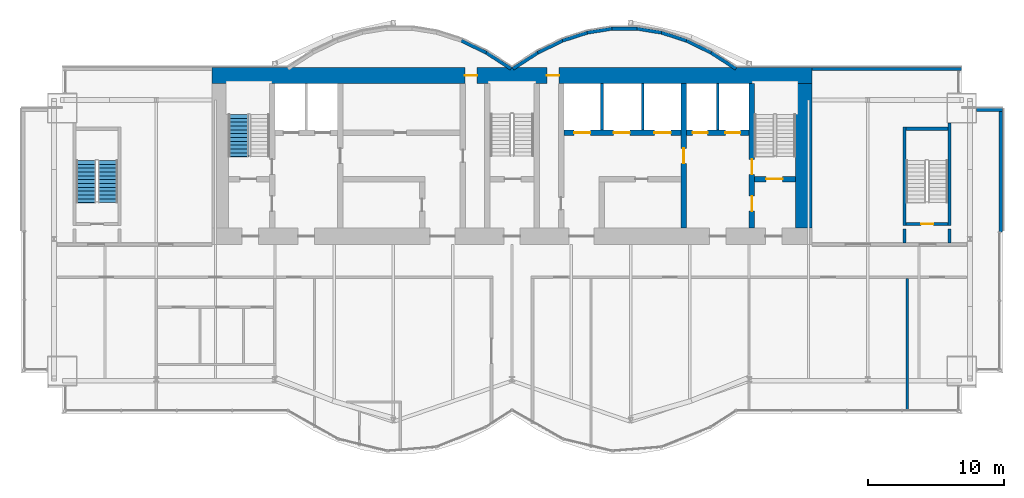
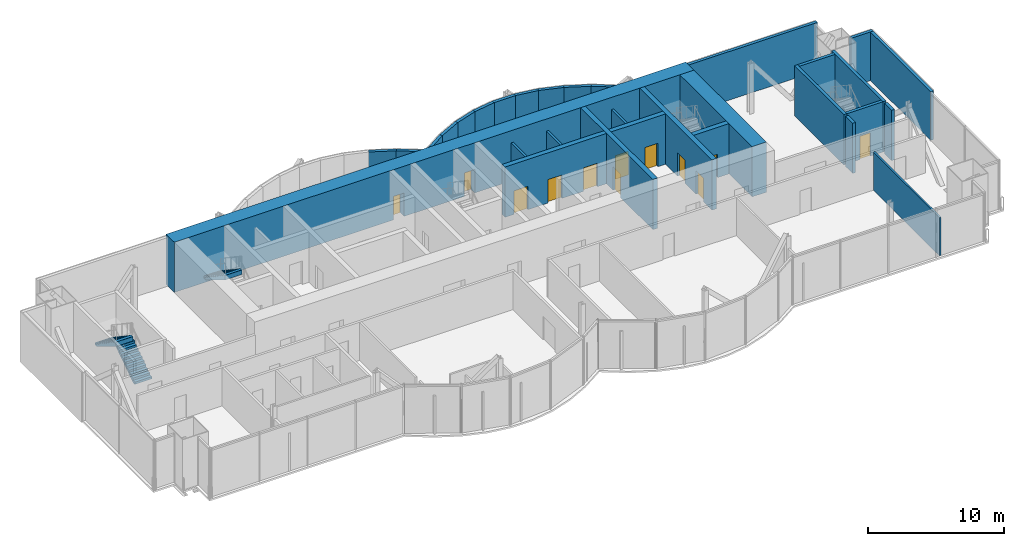
# One storey, part 12 of 16: 30 walls, 12 doors, 3 stair flights, 12 openings, 2 elements without a shape of their own.
"""IFC4 building model written with IfcOpenShell, lengths in metres."""

from ifc_helpers import new_model, si_unit, direction, frame, frame_2d, origin, place, context, subcontext, project, spatial, polyline, rectangle, outline, extrude, material, layer, layer_set, layer_usage, type_object, element, fill, aggregate, save


model = new_model("IFC4")

# Units and contexts
model_context = context("Model", 3, precision=1e-05, world=origin(), true_north=direction((0.0, 1.0)))
body_context = subcontext(model_context, "Body", "Model", "MODEL_VIEW")
ifc_project = project(units=[si_unit("LENGTHUNIT", "METRE"), si_unit("AREAUNIT", "SQUARE_METRE"), si_unit("VOLUMEUNIT", "CUBIC_METRE"), si_unit("PLANEANGLEUNIT", "RADIAN"), si_unit("MASSUNIT", "GRAM", prefix="KILO")], contexts=[model_context])

# Site, building, storey
site_placement = place(None, origin())
site = spatial("IfcSite", under=ifc_project, at=site_placement, CompositionType="ELEMENT")
building_placement = place(site_placement, origin())
building = spatial("IfcBuilding", under=site, at=building_placement, Name="Bicima Exchange Tower", CompositionType="ELEMENT")
storey_placement = place(building_placement, frame((0.0, 0.0, 329.0)))
storey = spatial("IfcBuildingStorey", under=building, at=storey_placement, Name="L74", CompositionType="ELEMENT", Elevation=329.0)

# Walls
ifc_material_1 = material(Name="Gypsum board partition")
ifc_layer_1 = layer(ifc_material_1, 0.199951171875)
ifc_layer_set_1 = layer_set([ifc_layer_1], Name="Gypsum board partition")
wall_type_1 = type_object("IfcWallType", Name="Fire-rated gypsum partition 200 EI120", PredefinedType="PARTITIONING", material=ifc_layer_set_1)
for number, where, z_axis, x_axis, name in (
    (1, (6.60009765625, -4.60009765625, 0.0), (0.0, 0.0, 1.0), (0.0, 1.0, 0.0), "partition wall 17"),
    (2, (9.60009765625, -4.60009765625, 0.0), (0.0, 0.0, 1.0), (0.0, 1.0, 0.0), "partition wall 18"),
    (3, (15.10009765625, -4.60009765625, 0.0), (0.0, 0.0, 1.0), (0.0, 1.0, 0.0), "partition wall 20"),
):
    element("IfcWall", number, at=place(storey_placement, frame(where, z_axis=z_axis, x_axis=x_axis)), inside=storey, type_object=wall_type_1, Name=name, PredefinedType="PARTITIONING", context=body_context, shape_type="SweptSolid", body=[
        extrude(rectangle(XDim=3.400146484375, YDim=0.199951171875, at=frame_2d((1.7001953125, 0.0))), origin(), (0.0, 0.0, 1.0), 3.418212890625),
    ])
ifc_layer_2 = layer(ifc_material_1, 0.14990234375)
ifc_layer_set_2 = layer_set([ifc_layer_2], Name="Gypsum board partition")
wall_type_2 = type_object("IfcWallType", Name="Gypsum partition 150", PredefinedType="PARTITIONING", material=ifc_layer_set_2)
wall_1_placement = place(storey_placement, frame((29.0, -25.199951171875, 0.0), z_axis=(0.0, 0.0, 1.0), x_axis=(0.0, 1.0, 0.0)))
element("IfcWall", 4, at=wall_1_placement, inside=storey, type_object=wall_type_2, Name="partition wall 28", PredefinedType="PARTITIONING", context=body_context, shape_type="SweptSolid", body=[
    extrude(rectangle(XDim=9.699951171875, YDim=0.14990234375, at=frame_2d((4.85009765625, 0.0))), origin(), (0.0, 0.0, 1.0), 3.418212890625),
])

# Wall, openings, doors
ifc_material_2 = material(Name="Concrete C40/50", Category="concrete")
ifc_layer_3 = layer(ifc_material_2, 1.199951171875)
ifc_layer_set_3 = layer_set([ifc_layer_3], Name="Concrete C40/50")
wall_type_3 = type_object("IfcWallType", Name="RC core wall 1200 C40/50", PredefinedType="SHEAR", material=ifc_layer_set_3)
wall_2_placement = place(storey_placement, frame((-22.0, -0.60009765625, 0.0), z_axis=(0.0, 0.0, 1.0), x_axis=(1.0, 0.0, 0.0)))
wall_2 = element("IfcWall", 5, at=wall_2_placement, inside=storey, type_object=wall_type_3, Name="Core wall north", PredefinedType="SHEAR", context=body_context, shape_type="SweptSolid", body=[
    extrude(rectangle(XDim=44.0, YDim=1.199951171875, at=frame_2d((22.0, 0.0))), origin(), (0.0, 0.0, 1.0), 4.5),
])
opening_1_placement = place(wall_2_placement, frame((18.550048828125, 0.0, 0.0)))
opening_1 = element("IfcOpeningElement", 6, at=opening_1_placement, cuts=wall_2, Name="Opening L74-C15", PredefinedType="OPENING", context=body_context, shape_type="SweptSolid", body=[
    extrude(rectangle(XDim=0.89990234375, YDim=2.10009765625, at=frame_2d((0.449951171875, 1.050048828125))), frame((0.0, 0.61181640625, 0.0), z_axis=(0.0, -1.0, 0.0), x_axis=(1.0, 0.0, 0.0)), (0.0, 0.0, 1.0), 1.223876953125),
])
opening_2_placement = place(wall_2_placement, frame((24.550048828125, 0.0, 0.0)))
opening_2 = element("IfcOpeningElement", 7, at=opening_2_placement, cuts=wall_2, Name="Opening L74-C16", PredefinedType="OPENING", context=body_context, shape_type="SweptSolid", body=[
    extrude(rectangle(XDim=0.89990234375, YDim=2.10009765625, at=frame_2d((0.449951171875, 1.050048828125))), frame((0.0, 0.61181640625, 0.0), z_axis=(0.0, -1.0, 0.0), x_axis=(1.0, 0.0, 0.0)), (0.0, 0.0, 1.0), 1.223876953125),
])
ifc_material_3 = material(Name="Steel fire door leaf", Category="steel")
door_type_1 = type_object("IfcDoorType", Name="Door 900 swing FD30S", OperationType="SINGLE_SWING_LEFT", PredefinedType="DOOR", material=ifc_material_3)
door_1_placement = place(opening_1_placement, origin())
door_1 = element("IfcDoor", 8, at=door_1_placement, inside=storey, type_object=door_type_1, Name="Core door", OperationType="SINGLE_SWING_LEFT", OverallHeight=2.10009765625, OverallWidth=0.89990234375, PredefinedType="DOOR", context=body_context, shape_type="SweptSolid", body=[
    extrude(rectangle(XDim=0.89990234375, YDim=2.10009765625, at=frame_2d((0.449951171875, 1.050048828125))), frame((0.0, 0.02490234375, 0.0), z_axis=(0.0, -1.0, 0.0), x_axis=(1.0, 0.0, 0.0)), (0.0, 0.0, 1.0), 0.050048828125),
])
fill(opening_1, door_1)
door_2_placement = place(opening_2_placement, origin())
door_2 = element("IfcDoor", 9, at=door_2_placement, inside=storey, type_object=door_type_1, Name="Core door", OperationType="SINGLE_SWING_LEFT", OverallHeight=2.10009765625, OverallWidth=0.89990234375, PredefinedType="DOOR", context=body_context, shape_type="SweptSolid", body=[
    extrude(rectangle(XDim=0.89990234375, YDim=2.10009765625, at=frame_2d((0.449951171875, 1.050048828125))), frame((0.0, 0.02490234375, 0.0), z_axis=(0.0, -1.0, 0.0), x_axis=(1.0, 0.0, 0.0)), (0.0, 0.0, 1.0), 0.050048828125),
])
fill(opening_2, door_2)

# Walls
wall_3_placement = place(storey_placement, frame((21.39990234375, -11.800048828125, 0.0), z_axis=(0.0, 0.0, 1.0), x_axis=(0.0, 1.0, 0.0)))
element("IfcWall", 10, at=wall_3_placement, inside=storey, type_object=wall_type_3, Name="Core wall east", PredefinedType="SHEAR", context=body_context, shape_type="SweptSolid", body=[
    extrude(rectangle(XDim=10.60009765625, YDim=1.199951171875, at=frame_2d((5.300048828125, 0.0))), origin(), (0.0, 0.0, 1.0), 4.5),
])
ifc_material_4 = material(Name="Concrete C50/60", Category="concrete")
ifc_layer_4 = layer(ifc_material_4, 0.25)
ifc_layer_set_4 = layer_set([ifc_layer_4], Name="Concrete C50/60")
wall_type_4 = type_object("IfcWallType", Name="RC core wall 250 C50/60", PredefinedType="SHEAR", material=ifc_layer_set_4)
for number, where, z_axis, x_axis, name in (
    (11, (28.800048828125, -12.89990234375, 0.0), (0.0, 0.0, 1.0), (0.0, 1.0, 0.0), "stair wall 27"),
    (12, (32.10009765625, -12.89990234375, 0.0), (0.0, 0.0, 1.0), (0.0, 1.0, 0.0), "stair wall 29"),
):
    element("IfcWall", number, at=place(storey_placement, frame(where, z_axis=z_axis, x_axis=x_axis)), inside=storey, type_object=wall_type_4, Name=name, PredefinedType="SHEAR", context=body_context, shape_type="SweptSolid", body=[
        extrude(rectangle(XDim=1.0498046875, YDim=0.25, at=frame_2d((0.52490234375, 0.0))), origin(), (0.0, 0.0, 1.0), 4.5),
    ])

# Wall, openings, doors
ifc_layer_5 = layer(ifc_material_2, 0.39990234375)
ifc_layer_set_5 = layer_set([ifc_layer_5], Name="Concrete C40/50")
wall_type_5 = type_object("IfcWallType", Name="RC core wall 400 C40/50", PredefinedType="SHEAR", material=ifc_layer_set_5)
wall_4_placement = place(storey_placement, frame((3.800048828125, -4.800048828125, 0.0), z_axis=(0.0, 0.0, 1.0), x_axis=(1.0, 0.0, 0.0)))
wall_4 = element("IfcWall", 13, at=wall_4_placement, inside=storey, type_object=wall_type_5, Name="shear wall 7", PredefinedType="SHEAR", context=body_context, shape_type="SweptSolid", body=[
    extrude(rectangle(XDim=13.599853515625, YDim=0.39990234375, at=frame_2d((6.7998046875, 0.0))), origin(), (0.0, 0.0, 1.0), 4.5),
])
opening_3_placement = place(wall_4_placement, frame((0.75, 0.0, 0.0)))
opening_3 = element("IfcOpeningElement", 14, at=opening_3_placement, cuts=wall_4, Name="Opening LD-HB1-L74", PredefinedType="OPENING", context=body_context, shape_type="SweptSolid", body=[
    extrude(rectangle(XDim=1.199951171875, YDim=2.10009765625, at=frame_2d((0.60009765625, 1.050048828125))), frame((0.0, 0.2119140625, 0.0), z_axis=(0.0, -1.0, 0.0), x_axis=(1.0, 0.0, 0.0)), (0.0, 0.0, 1.0), 0.423828125),
])
opening_4_placement = place(wall_4_placement, frame((3.64990234375, 0.0, 0.0)))
opening_4 = element("IfcOpeningElement", 15, at=opening_4_placement, cuts=wall_4, Name="Opening LD-HB2-L74", PredefinedType="OPENING", context=body_context, shape_type="SweptSolid", body=[
    extrude(rectangle(XDim=1.199951171875, YDim=2.10009765625, at=frame_2d((0.60009765625, 1.050048828125))), frame((0.0, 0.2119140625, 0.0), z_axis=(0.0, -1.0, 0.0), x_axis=(1.0, 0.0, 0.0)), (0.0, 0.0, 1.0), 0.423828125),
])
opening_5_placement = place(wall_4_placement, frame((6.64990234375, 0.0, 0.0)))
opening_5 = element("IfcOpeningElement", 16, at=opening_5_placement, cuts=wall_4, Name="Opening LD-HB3-L74", PredefinedType="OPENING", context=body_context, shape_type="SweptSolid", body=[
    extrude(rectangle(XDim=1.199951171875, YDim=2.10009765625, at=frame_2d((0.60009765625, 1.050048828125))), frame((0.0, 0.2119140625, 0.0), z_axis=(0.0, -1.0, 0.0), x_axis=(1.0, 0.0, 0.0)), (0.0, 0.0, 1.0), 0.423828125),
])
opening_6_placement = place(wall_4_placement, frame((9.449951171875, 0.0, 0.0)))
opening_6 = element("IfcOpeningElement", 17, at=opening_6_placement, cuts=wall_4, Name="Opening LD-FF2-L74", PredefinedType="OPENING", context=body_context, shape_type="SweptSolid", body=[
    extrude(rectangle(XDim=1.10009765625, YDim=2.10009765625, at=frame_2d((0.550048828125, 1.050048828125))), frame((0.0, 0.2119140625, 0.0), z_axis=(0.0, -1.0, 0.0), x_axis=(1.0, 0.0, 0.0)), (0.0, 0.0, 1.0), 0.423828125),
])
opening_7_placement = place(wall_4_placement, frame((11.85009765625, 0.0, 0.0)))
opening_7 = element("IfcOpeningElement", 18, at=opening_7_placement, cuts=wall_4, Name="Opening LD-SV1-L74", PredefinedType="OPENING", context=body_context, shape_type="SweptSolid", body=[
    extrude(rectangle(XDim=1.10009765625, YDim=2.10009765625, at=frame_2d((0.550048828125, 1.050048828125))), frame((0.0, 0.2119140625, 0.0), z_axis=(0.0, -1.0, 0.0), x_axis=(1.0, 0.0, 0.0)), (0.0, 0.0, 1.0), 0.423828125),
])
ifc_material_5 = material(Name="Stainless steel", Category="steel")
door_type_2 = type_object("IfcDoorType", Name="Lift landing door 1100 sliding", OperationType="DOUBLE_DOOR_SLIDING", PredefinedType="DOOR", material=ifc_material_5)
door_3_placement = place(opening_6_placement, origin())
door_3 = element("IfcDoor", 19, at=door_3_placement, inside=storey, type_object=door_type_2, Name="Lift landing door FF2", OperationType="DOUBLE_DOOR_SLIDING", OverallHeight=2.10009765625, OverallWidth=1.10009765625, PredefinedType="DOOR", context=body_context, shape_type="SweptSolid", body=[
    extrude(rectangle(XDim=1.10009765625, YDim=2.10009765625, at=frame_2d((0.550048828125, 1.050048828125))), frame((0.0, 0.02490234375, 0.0), z_axis=(0.0, -1.0, 0.0), x_axis=(1.0, 0.0, 0.0)), (0.0, 0.0, 1.0), 0.050048828125),
])
fill(opening_6, door_3)
door_4_placement = place(opening_7_placement, origin())
door_4 = element("IfcDoor", 20, at=door_4_placement, inside=storey, type_object=door_type_2, Name="Lift landing door SV1", OperationType="DOUBLE_DOOR_SLIDING", OverallHeight=2.10009765625, OverallWidth=1.10009765625, PredefinedType="DOOR", context=body_context, shape_type="SweptSolid", body=[
    extrude(rectangle(XDim=1.10009765625, YDim=2.10009765625, at=frame_2d((0.550048828125, 1.050048828125))), frame((0.0, 0.02490234375, 0.0), z_axis=(0.0, -1.0, 0.0), x_axis=(1.0, 0.0, 0.0)), (0.0, 0.0, 1.0), 0.050048828125),
])
fill(opening_7, door_4)
door_type_3 = type_object("IfcDoorType", Name="Lift landing door 1200 sliding", OperationType="DOUBLE_DOOR_SLIDING", PredefinedType="DOOR", material=ifc_material_5)
door_5_placement = place(opening_3_placement, origin())
door_5 = element("IfcDoor", 21, at=door_5_placement, inside=storey, type_object=door_type_3, Name="Lift landing door HB1", OperationType="DOUBLE_DOOR_SLIDING", OverallHeight=2.10009765625, OverallWidth=1.199951171875, PredefinedType="DOOR", context=body_context, shape_type="SweptSolid", body=[
    extrude(rectangle(XDim=1.199951171875, YDim=2.10009765625, at=frame_2d((0.60009765625, 1.050048828125))), frame((0.0, 0.02490234375, 0.0), z_axis=(0.0, -1.0, 0.0), x_axis=(1.0, 0.0, 0.0)), (0.0, 0.0, 1.0), 0.050048828125),
])
fill(opening_3, door_5)
door_6_placement = place(opening_4_placement, origin())
door_6 = element("IfcDoor", 22, at=door_6_placement, inside=storey, type_object=door_type_3, Name="Lift landing door HB2", OperationType="DOUBLE_DOOR_SLIDING", OverallHeight=2.10009765625, OverallWidth=1.199951171875, PredefinedType="DOOR", context=body_context, shape_type="SweptSolid", body=[
    extrude(rectangle(XDim=1.199951171875, YDim=2.10009765625, at=frame_2d((0.60009765625, 1.050048828125))), frame((0.0, 0.02490234375, 0.0), z_axis=(0.0, -1.0, 0.0), x_axis=(1.0, 0.0, 0.0)), (0.0, 0.0, 1.0), 0.050048828125),
])
fill(opening_4, door_6)
door_7_placement = place(opening_5_placement, origin())
door_7 = element("IfcDoor", 23, at=door_7_placement, inside=storey, type_object=door_type_3, Name="Lift landing door HB3", OperationType="DOUBLE_DOOR_SLIDING", OverallHeight=2.10009765625, OverallWidth=1.199951171875, PredefinedType="DOOR", context=body_context, shape_type="SweptSolid", body=[
    extrude(rectangle(XDim=1.199951171875, YDim=2.10009765625, at=frame_2d((0.60009765625, 1.050048828125))), frame((0.0, 0.02490234375, 0.0), z_axis=(0.0, -1.0, 0.0), x_axis=(1.0, 0.0, 0.0)), (0.0, 0.0, 1.0), 0.050048828125),
])
fill(opening_5, door_7)

# Wall, opening, door
wall_5_placement = place(storey_placement, frame((12.60009765625, -11.800048828125, 0.0), z_axis=(0.0, 0.0, 1.0), x_axis=(0.0, 1.0, 0.0)))
wall_5 = element("IfcWall", 24, at=wall_5_placement, inside=storey, type_object=wall_type_5, Name="shear wall 19", PredefinedType="SHEAR", context=body_context, shape_type="SweptSolid", body=[
    extrude(rectangle(XDim=10.60009765625, YDim=0.39990234375, at=frame_2d((5.300048828125, 0.0))), origin(), (0.0, 0.0, 1.0), 4.5),
])
opening_8_placement = place(wall_5_placement, frame((4.75, 0.0, 0.0)))
opening_8 = element("IfcOpeningElement", 25, at=opening_8_placement, cuts=wall_5, Name="Opening L74-C09", PredefinedType="OPENING", context=body_context, shape_type="SweptSolid", body=[
    extrude(rectangle(XDim=1.10009765625, YDim=2.10009765625, at=frame_2d((0.550048828125, 1.050048828125))), frame((0.0, 0.2119140625, 0.0), z_axis=(0.0, -1.0, 0.0), x_axis=(1.0, 0.0, 0.0)), (0.0, 0.0, 1.0), 0.423828125),
])
door_type_4 = type_object("IfcDoorType", Name="Door 1100 swing FD60S", OperationType="SINGLE_SWING_LEFT", PredefinedType="DOOR", material=ifc_material_3)
door_8_placement = place(opening_8_placement, frame((1.10009765625, 0.0, 0.0), z_axis=(0.0, 0.0, 1.0), x_axis=(-1.0, 0.0, 0.0)))
door_8 = element("IfcDoor", 26, at=door_8_placement, inside=storey, type_object=door_type_4, Name="Core door", OperationType="SINGLE_SWING_RIGHT", OverallHeight=2.10009765625, OverallWidth=1.10009765625, PredefinedType="DOOR", context=body_context, shape_type="SweptSolid", body=[
    extrude(rectangle(XDim=1.10009765625, YDim=2.10009765625, at=frame_2d((0.550048828125, 1.050048828125))), frame((0.0, 0.02490234375, 0.0), z_axis=(0.0, -1.0, 0.0), x_axis=(1.0, 0.0, 0.0)), (0.0, 0.0, 1.0), 0.050048828125),
])
fill(opening_8, door_8)

ifc_layer_6 = layer(ifc_material_4, 0.39990234375)
ifc_layer_set_6 = layer_set([ifc_layer_6], Name="Concrete C50/60")
wall_type_6 = type_object("IfcWallType", Name="RC core wall 400 C50/60", PredefinedType="SHEAR", material=ifc_layer_set_6)
wall_6_placement = place(storey_placement, frame((17.800048828125, -8.199951171875, 0.0), z_axis=(0.0, 0.0, 1.0), x_axis=(1.0, 0.0, 0.0)))
wall_6 = element("IfcWall", 27, at=wall_6_placement, inside=storey, type_object=wall_type_6, Name="stair wall 5", PredefinedType="SHEAR", context=body_context, shape_type="SweptSolid", body=[
    extrude(rectangle(XDim=3.0, YDim=0.39990234375, at=frame_2d((1.5, 0.0))), origin(), (0.0, 0.0, 1.0), 4.5),
])
opening_9_placement = place(wall_6_placement, frame((0.85009765625, 0.0, 0.0)))
opening_9 = element("IfcOpeningElement", 28, at=opening_9_placement, cuts=wall_6, Name="Opening L74-C04", PredefinedType="OPENING", context=body_context, shape_type="SweptSolid", body=[
    extrude(rectangle(XDim=1.199951171875, YDim=2.10009765625, at=frame_2d((0.60009765625, 1.050048828125))), frame((0.0, 0.2119140625, 0.0), z_axis=(0.0, -1.0, 0.0), x_axis=(1.0, 0.0, 0.0)), (0.0, 0.0, 1.0), 0.423828125),
])
door_type_5 = type_object("IfcDoorType", Name="Door 1200 swing FD60S", OperationType="SINGLE_SWING_LEFT", PredefinedType="DOOR", material=ifc_material_3)
door_9_placement = place(opening_9_placement, origin())
door_9 = element("IfcDoor", 29, at=door_9_placement, inside=storey, type_object=door_type_5, Name="Core door", OperationType="SINGLE_SWING_RIGHT", OverallHeight=2.10009765625, OverallWidth=1.199951171875, PredefinedType="DOOR", context=body_context, shape_type="SweptSolid", body=[
    extrude(rectangle(XDim=1.199951171875, YDim=2.10009765625, at=frame_2d((0.60009765625, 1.050048828125))), frame((0.0, 0.02490234375, 0.0), z_axis=(0.0, -1.0, 0.0), x_axis=(1.0, 0.0, 0.0)), (0.0, 0.0, 1.0), 0.050048828125),
])
fill(opening_9, door_9)

# Wall, openings, doors
wall_7_placement = place(storey_placement, frame((17.60009765625, -11.800048828125, 0.0), z_axis=(0.0, 0.0, 1.0), x_axis=(0.0, 1.0, 0.0)))
wall_7 = element("IfcWall", 30, at=wall_7_placement, inside=storey, type_object=wall_type_6, Name="stair wall 21", PredefinedType="SHEAR", context=body_context, shape_type="SweptSolid", body=[
    extrude(rectangle(XDim=10.60009765625, YDim=0.39990234375, at=frame_2d((5.300048828125, 0.0))), origin(), (0.0, 0.0, 1.0), 4.5),
])
opening_10_placement = place(wall_7_placement, frame((1.25, 0.0, 0.0)))
opening_10 = element("IfcOpeningElement", 31, at=opening_10_placement, cuts=wall_7, Name="Opening L74-C05", PredefinedType="OPENING", context=body_context, shape_type="SweptSolid", body=[
    extrude(rectangle(XDim=1.10009765625, YDim=2.10009765625, at=frame_2d((0.550048828125, 1.050048828125))), frame((0.0, 0.2119140625, 0.0), z_axis=(0.0, -1.0, 0.0), x_axis=(1.0, 0.0, 0.0)), (0.0, 0.0, 1.0), 0.423828125),
])
opening_11_placement = place(wall_7_placement, frame((3.949951171875, 0.0, 0.0)))
opening_11 = element("IfcOpeningElement", 32, at=opening_11_placement, cuts=wall_7, Name="Opening L74-C08", PredefinedType="OPENING", context=body_context, shape_type="SweptSolid", body=[
    extrude(rectangle(XDim=1.10009765625, YDim=2.10009765625, at=frame_2d((0.550048828125, 1.050048828125))), frame((0.0, 0.2119140625, 0.0), z_axis=(0.0, -1.0, 0.0), x_axis=(1.0, 0.0, 0.0)), (0.0, 0.0, 1.0), 0.423828125),
])
door_10_placement = place(opening_10_placement, origin())
door_10 = element("IfcDoor", 33, at=door_10_placement, inside=storey, type_object=door_type_4, Name="Core door", OperationType="SINGLE_SWING_LEFT", OverallHeight=2.10009765625, OverallWidth=1.10009765625, PredefinedType="DOOR", context=body_context, shape_type="SweptSolid", body=[
    extrude(rectangle(XDim=1.10009765625, YDim=2.10009765625, at=frame_2d((0.550048828125, 1.050048828125))), frame((0.0, 0.02490234375, 0.0), z_axis=(0.0, -1.0, 0.0), x_axis=(1.0, 0.0, 0.0)), (0.0, 0.0, 1.0), 0.050048828125),
])
fill(opening_10, door_10)
door_11_placement = place(opening_11_placement, origin())
door_11 = element("IfcDoor", 34, at=door_11_placement, inside=storey, type_object=door_type_4, Name="Core door", OperationType="SINGLE_SWING_RIGHT", OverallHeight=2.10009765625, OverallWidth=1.10009765625, PredefinedType="DOOR", context=body_context, shape_type="SweptSolid", body=[
    extrude(rectangle(XDim=1.10009765625, YDim=2.10009765625, at=frame_2d((0.550048828125, 1.050048828125))), frame((0.0, 0.02490234375, 0.0), z_axis=(0.0, -1.0, 0.0), x_axis=(1.0, 0.0, 0.0)), (0.0, 0.0, 1.0), 0.050048828125),
])
fill(opening_11, door_11)

# Walls
ifc_layer_7 = layer(ifc_material_4, 0.25)
ifc_layer_set_7 = layer_set([ifc_layer_7], Name="Concrete C50/60")
wall_type_7 = type_object("IfcWallType", Name="RC stair enclosure wall 250 C50/60", PredefinedType="SHEAR", material=ifc_layer_set_7)
wall_8_placement = place(storey_placement, frame((28.800048828125, -11.625, 0.0), z_axis=(0.0, 0.0, 1.0), x_axis=(0.0, 1.0, 0.0)))
element("IfcWall", 35, at=wall_8_placement, inside=storey, type_object=wall_type_7, Name="East end exit stair wall W", PredefinedType="SHEAR", context=body_context, shape_type="SweptSolid", body=[
    extrude(rectangle(XDim=7.25, YDim=0.25, at=frame_2d((3.625, 0.0))), origin(), (0.0, 0.0, 1.0), 4.5),
])
wall_9_placement = place(storey_placement, frame((32.10009765625, -11.625, 0.0), z_axis=(0.0, 0.0, 1.0), x_axis=(0.0, 1.0, 0.0)))
element("IfcWall", 36, at=wall_9_placement, inside=storey, type_object=wall_type_7, Name="East end exit stair wall E", PredefinedType="SHEAR", context=body_context, shape_type="SweptSolid", body=[
    extrude(rectangle(XDim=7.52490234375, YDim=0.25, at=frame_2d((3.762451171875, 0.0))), origin(), (0.0, 0.0, 1.0), 4.5),
])

# Wall, opening, door
wall_10_placement = place(storey_placement, frame((28.925048828125, -11.5, 0.0), z_axis=(0.0, 0.0, 1.0), x_axis=(1.0, 0.0, 0.0)))
wall_10 = element("IfcWall", 37, at=wall_10_placement, inside=storey, type_object=wall_type_7, Name="East end exit stair wall S", PredefinedType="SHEAR", context=body_context, shape_type="SweptSolid", body=[
    extrude(rectangle(XDim=3.050048828125, YDim=0.25, at=frame_2d((1.52490234375, 0.0))), origin(), (0.0, 0.0, 1.0), 4.5),
])
opening_12_placement = place(wall_10_placement, frame((1.10009765625, 0.0, 0.0)))
opening_12 = element("IfcOpeningElement", 38, at=opening_12_placement, cuts=wall_10, Name="Opening L74-004", PredefinedType="OPENING", context=body_context, shape_type="SweptSolid", body=[
    extrude(rectangle(XDim=0.89990234375, YDim=2.10009765625, at=frame_2d((0.449951171875, 1.050048828125))), frame((0.0, 0.136962890625, 0.0), z_axis=(0.0, -1.0, 0.0), x_axis=(1.0, 0.0, 0.0)), (0.0, 0.0, 1.0), 0.27392578125),
])
door_type_6 = type_object("IfcDoorType", Name="Door 900 swing FD60S", OperationType="SINGLE_SWING_LEFT", PredefinedType="DOOR", material=ifc_material_3)
door_12_placement = place(opening_12_placement, origin())
door_12 = element("IfcDoor", 39, at=door_12_placement, inside=storey, type_object=door_type_6, Name="Door", OperationType="SINGLE_SWING_LEFT", OverallHeight=2.10009765625, OverallWidth=0.89990234375, PredefinedType="DOOR", context=body_context, shape_type="SweptSolid", body=[
    extrude(rectangle(XDim=0.89990234375, YDim=2.10009765625, at=frame_2d((0.449951171875, 1.050048828125))), frame((0.0, 0.02490234375, 0.0), z_axis=(0.0, -1.0, 0.0), x_axis=(1.0, 0.0, 0.0)), (0.0, 0.0, 1.0), 0.050048828125),
])
fill(opening_12, door_12)

# Walls
wall_11_placement = place(storey_placement, frame((28.925048828125, -4.5, 0.0), z_axis=(0.0, 0.0, 1.0), x_axis=(1.0, 0.0, 0.0)))
element("IfcWall", 40, at=wall_11_placement, inside=storey, type_object=wall_type_7, Name="East end exit stair wall N", PredefinedType="SHEAR", context=body_context, shape_type="SweptSolid", body=[
    extrude(rectangle(XDim=3.050048828125, YDim=0.25, at=frame_2d((1.52490234375, 0.0))), origin(), (0.0, 0.0, 1.0), 4.5),
])
ifc_layer_8 = layer(ifc_material_2, 0.25)
ifc_layer_set_8 = layer_set([ifc_layer_8], Name="Concrete C40/50")
ifc_layer_usage = layer_usage(ifc_layer_set_8, "AXIS2", "POSITIVE", -0.125)
wall_type_8 = type_object("IfcWallType", Name="Rear backup wall 250", PredefinedType="STANDARD", material=ifc_layer_set_8)
wall_12_placement = place(storey_placement, frame((33.0, -0.125, 0.0), z_axis=(0.0, 0.0, 1.0), x_axis=(-1.0, 0.0, 0.0)))
element("IfcWall", 41, at=wall_12_placement, inside=storey, type_object=wall_type_8, material=ifc_layer_usage, Name="Rear backup wall L74 1", PredefinedType="STANDARD", context=body_context, shape_type="SweptSolid", body=[
    extrude(rectangle(XDim=11.0, YDim=0.25, at=frame_2d((5.5, 0.0))), origin(), (0.0, 0.0, 1.0), 4.35009765625),
])
wall_13_placement = place(storey_placement, frame((16.43212890625, -0.10498046875, 0.0), z_axis=(0.0, 0.0, 1.0), x_axis=(-0.83981312244, 0.542875602121, 0.0)))
element("IfcWall", 42, at=wall_13_placement, inside=storey, type_object=wall_type_8, material=ifc_layer_usage, Name="Rear backup wall L74 2", PredefinedType="STANDARD", context=body_context, shape_type="SweptSolid", body=[
    extrude(rectangle(XDim=2.182861328125, YDim=0.25, at=frame_2d((1.09130859375, 0.0))), origin(), (0.0, 0.0, 1.0), 4.35009765625),
])
wall_14_placement = place(storey_placement, frame((14.6123046875, 1.07275390625, 0.0), z_axis=(0.0, 0.0, 1.0), x_axis=(-0.89982408427, 0.436252928206, 0.0)))
element("IfcWall", 43, at=wall_14_placement, inside=storey, type_object=wall_type_8, material=ifc_layer_usage, Name="Rear backup wall L74 3", PredefinedType="STANDARD", context=body_context, shape_type="SweptSolid", body=[
    extrude(rectangle(XDim=2.03759765625, YDim=0.25, at=frame_2d((1.018798828125, 0.0))), origin(), (0.0, 0.0, 1.0), 4.35009765625),
])
wall_15_placement = place(storey_placement, frame((12.794921875, 1.955078125, 0.0), z_axis=(0.0, 0.0, 1.0), x_axis=(-0.951495806175, 0.307661714928, 0.0)))
element("IfcWall", 44, at=wall_15_placement, inside=storey, type_object=wall_type_8, material=ifc_layer_usage, Name="Rear backup wall L74 4", PredefinedType="STANDARD", context=body_context, shape_type="SweptSolid", body=[
    extrude(rectangle(XDim=1.9267578125, YDim=0.25, at=frame_2d((0.96337890625, 0.0))), origin(), (0.0, 0.0, 1.0), 4.35009765625),
])
wall_16_placement = place(storey_placement, frame((10.97998046875, 2.543212890625, 0.0), z_axis=(0.0, 0.0, 1.0), x_axis=(-0.987181718931, 0.159600293885, 0.0)))
element("IfcWall", 45, at=wall_16_placement, inside=storey, type_object=wall_type_8, material=ifc_layer_usage, Name="Rear backup wall L74 5", PredefinedType="STANDARD", context=body_context, shape_type="SweptSolid", body=[
    extrude(rectangle(XDim=1.857177734375, YDim=0.25, at=frame_2d((0.9287109375, 0.0))), origin(), (0.0, 0.0, 1.0), 4.35009765625),
])
wall_17_placement = place(storey_placement, frame((9.166748046875, 2.837890625, 0.0), z_axis=(0.0, 0.0, 1.0), x_axis=(-1.0, 0.0, 0.0)))
element("IfcWall", 46, at=wall_17_placement, inside=storey, type_object=wall_type_8, material=ifc_layer_usage, Name="Rear backup wall L74 6", PredefinedType="STANDARD", context=body_context, shape_type="SweptSolid", body=[
    extrude(rectangle(XDim=1.83349609375, YDim=0.25, at=frame_2d((0.916748046875, 0.0))), origin(), (0.0, 0.0, 1.0), 4.35009765625),
])
wall_18_placement = place(storey_placement, frame((7.353271484375, 2.839599609375, 0.0), z_axis=(0.0, 0.0, 1.0), x_axis=(-0.987181718931, -0.159600293885, 0.0)))
element("IfcWall", 47, at=wall_18_placement, inside=storey, type_object=wall_type_8, material=ifc_layer_usage, Name="Rear backup wall L74 7", PredefinedType="STANDARD", context=body_context, shape_type="SweptSolid", body=[
    extrude(rectangle(XDim=1.857177734375, YDim=0.25, at=frame_2d((0.9287109375, 0.0))), origin(), (0.0, 0.0, 1.0), 4.35009765625),
])
wall_19_placement = place(storey_placement, frame((5.538330078125, 2.5478515625, 0.0), z_axis=(0.0, 0.0, 1.0), x_axis=(-0.951495806175, -0.307661714928, 0.0)))
element("IfcWall", 48, at=wall_19_placement, inside=storey, type_object=wall_type_8, material=ifc_layer_usage, Name="Rear backup wall L74 8", PredefinedType="STANDARD", context=body_context, shape_type="SweptSolid", body=[
    extrude(rectangle(XDim=1.9267578125, YDim=0.25, at=frame_2d((0.96337890625, 0.0))), origin(), (0.0, 0.0, 1.0), 4.35009765625),
])
wall_20_placement = place(storey_placement, frame((3.72119140625, 1.961669921875, 0.0), z_axis=(0.0, 0.0, 1.0), x_axis=(-0.89982408427, -0.436252928206, 0.0)))
element("IfcWall", 49, at=wall_20_placement, inside=storey, type_object=wall_type_8, material=ifc_layer_usage, Name="Rear backup wall L74 9", PredefinedType="STANDARD", context=body_context, shape_type="SweptSolid", body=[
    extrude(rectangle(XDim=2.03759765625, YDim=0.25, at=frame_2d((1.018798828125, 0.0))), origin(), (0.0, 0.0, 1.0), 4.35009765625),
])
for number, where, z_axis, x_axis, name in (
    (50, (1.901123046875, 1.080078125, 0.0), (0.0, 0.0, 1.0), (-0.83981312244, -0.542875602121, 0.0), "Rear backup wall L74 10"),
    (51, (-0.06787109375, -0.10498046875, 0.0), (0.0, 0.0, 1.0), (-0.83981312244, 0.542875602121, 0.0), "Rear backup wall L74 11"),
):
    element("IfcWall", number, at=place(storey_placement, frame(where, z_axis=z_axis, x_axis=x_axis)), inside=storey, type_object=wall_type_8, material=ifc_layer_usage, Name=name, PredefinedType="STANDARD", context=body_context, shape_type="SweptSolid", body=[
        extrude(rectangle(XDim=2.182861328125, YDim=0.25, at=frame_2d((1.09130859375, 0.0))), origin(), (0.0, 0.0, 1.0), 4.35009765625),
    ])
wall_21_placement = place(storey_placement, frame((-1.8876953125, 1.07275390625, 0.0), z_axis=(0.0, 0.0, 1.0), x_axis=(-0.89982408427, 0.436252928206, 0.0)))
element("IfcWall", 52, at=wall_21_placement, inside=storey, type_object=wall_type_8, material=ifc_layer_usage, Name="Rear backup wall L74 12", PredefinedType="STANDARD", context=body_context, shape_type="SweptSolid", body=[
    extrude(rectangle(XDim=2.03759765625, YDim=0.25, at=frame_2d((1.018798828125, 0.0))), origin(), (0.0, 0.0, 1.0), 4.35009765625),
])
wall_22_placement = place(storey_placement, frame((35.875, -12.090087890625, 0.0), z_axis=(0.0, 0.0, 1.0), x_axis=(0.0, 1.0, 0.0)))
element("IfcWall", 53, at=wall_22_placement, inside=storey, type_object=wall_type_8, material=ifc_layer_usage, Name="Rear backup wall L74 50", PredefinedType="STANDARD", context=body_context, shape_type="SweptSolid", body=[
    extrude(rectangle(XDim=9.090087890625, YDim=0.25, at=frame_2d((4.544921875, 0.0))), origin(), (0.0, 0.0, 1.0), 4.35009765625),
])
wall_23_placement = place(storey_placement, frame((36.0, -3.125, 0.0), z_axis=(0.0, 0.0, 1.0), x_axis=(-1.0, 0.0, 0.0)))
element("IfcWall", 54, at=wall_23_placement, inside=storey, type_object=wall_type_8, material=ifc_layer_usage, Name="Rear backup wall L74 51", PredefinedType="STANDARD", context=body_context, shape_type="SweptSolid", body=[
    extrude(rectangle(XDim=1.89990234375, YDim=0.25, at=frame_2d((0.949951171875, 0.0))), origin(), (0.0, 0.0, 1.0), 4.35009765625),
])

# Stair, stair flight
stair_type = type_object("IfcStairType", Name="Exit stair", PredefinedType="HALF_TURN_STAIR", material=ifc_material_4)
stair_1_placement = place(storey_placement, origin())
stair_1 = element("IfcStair", 55, at=stair_1_placement, inside=storey, type_object=stair_type, Name="L74 West exit stair", PredefinedType="HALF_TURN_STAIR")
stair_flight_type = type_object("IfcStairFlightType", Name="Stair flight RC", PredefinedType="STRAIGHT", material=ifc_material_4)
stair_flight_1_placement = place(storey_placement, frame((-20.074951171875, -3.469970703125, 2.25), z_axis=(0.0, 0.0, 1.0), x_axis=(0.0, -1.0, 0.0)))
stair_flight_1 = element("IfcStairFlight", 56, at=stair_flight_1_placement, type_object=stair_flight_type, Name="ST-W flight 2", NumberOfRisers=12, NumberOfTreads=11, PredefinedType="STRAIGHT", RiserHeight=0.1875, TreadLength=0.28, context=body_context, shape_type="SweptSolid", body=[
    extrude(outline(polyline([(0.0, 0.0), (0.0, 0.1875), (0.280029296875, 0.1875), (0.280029296875, 0.375), (0.56005859375, 0.375), (0.56005859375, 0.5625), (0.840087890625, 0.5625), (0.840087890625, 0.75), (1.1201171875, 0.75), (1.1201171875, 0.9375), (1.39990234375, 0.9375), (1.39990234375, 1.125), (1.679931640625, 1.125), (1.679931640625, 1.3125), (1.9599609375, 1.3125), (1.9599609375, 1.5), (2.239990234375, 1.5), (2.239990234375, 1.6875), (2.52001953125, 1.6875), (2.52001953125, 1.875), (2.800048828125, 1.875), (2.800048828125, 2.0625), (3.080078125, 2.0625), (3.080078125, 2.10400390625), (3.094970703125, 2.10400390625), (3.094970703125, 1.70458984375), (0.26953125, 0.0), (0.0, 0.0)])), frame((0.0, 0.72509765625, 0.0), z_axis=(0.0, -1.0, 0.0), x_axis=(1.0, 0.0, 0.0)), (0.0, 0.0, 1.0), 1.449951171875),
])
aggregate(stair_1, [stair_flight_1])

# Stair, stair flights
stair_2_placement = place(storey_placement, origin())
stair_2 = element("IfcStair", 57, at=stair_2_placement, inside=storey, type_object=stair_type, Name="L74 West end exit stair", PredefinedType="HALF_TURN_STAIR")
stair_flight_2_placement = place(storey_placement, frame((-29.64990234375, -9.925048828125, 0.0), z_axis=(0.0, 0.0, 1.0), x_axis=(0.0, 1.0, 0.0)))
stair_flight_2 = element("IfcStairFlight", 58, at=stair_flight_2_placement, type_object=stair_flight_type, Name="ST-WW flight 1", NumberOfRisers=12, NumberOfTreads=11, PredefinedType="STRAIGHT", RiserHeight=0.1875, TreadLength=0.28, context=body_context, shape_type="SweptSolid", body=[
    extrude(outline(polyline([(0.0, 0.0), (0.0, 0.1875), (0.280029296875, 0.1875), (0.280029296875, 0.375), (0.56005859375, 0.375), (0.56005859375, 0.5625), (0.840087890625, 0.5625), (0.840087890625, 0.75), (1.1201171875, 0.75), (1.1201171875, 0.9375), (1.39990234375, 0.9375), (1.39990234375, 1.125), (1.679931640625, 1.125), (1.679931640625, 1.3125), (1.9599609375, 1.3125), (1.9599609375, 1.5), (2.239990234375, 1.5), (2.239990234375, 1.6875), (2.52001953125, 1.6875), (2.52001953125, 1.875), (2.800048828125, 1.875), (2.800048828125, 2.0625), (3.080078125, 2.0625), (3.080078125, 2.25), (3.080078125, 1.882080078125), (0.26953125, 0.0), (0.0, 0.0)])), frame((0.0, 0.72509765625, 0.0), z_axis=(0.0, -1.0, 0.0), x_axis=(1.0, 0.0, 0.0)), (0.0, 0.0, 1.0), 1.449951171875),
])
stair_flight_3_placement = place(storey_placement, frame((-31.25, -6.844970703125, 2.25), z_axis=(0.0, 0.0, 1.0), x_axis=(0.0, -1.0, 0.0)))
stair_flight_3 = element("IfcStairFlight", 59, at=stair_flight_3_placement, type_object=stair_flight_type, Name="ST-WW flight 2", NumberOfRisers=12, NumberOfTreads=11, PredefinedType="STRAIGHT", RiserHeight=0.1875, TreadLength=0.28, context=body_context, shape_type="SweptSolid", body=[
    extrude(outline(polyline([(0.0, 0.0), (0.0, 0.1875), (0.280029296875, 0.1875), (0.280029296875, 0.375), (0.56005859375, 0.375), (0.56005859375, 0.5625), (0.840087890625, 0.5625), (0.840087890625, 0.75), (1.1201171875, 0.75), (1.1201171875, 0.9375), (1.39990234375, 0.9375), (1.39990234375, 1.125), (1.679931640625, 1.125), (1.679931640625, 1.3125), (1.9599609375, 1.3125), (1.9599609375, 1.5), (2.239990234375, 1.5), (2.239990234375, 1.6875), (2.52001953125, 1.6875), (2.52001953125, 1.875), (2.800048828125, 1.875), (2.800048828125, 2.0625), (3.080078125, 2.0625), (3.080078125, 2.10400390625), (3.094970703125, 2.10400390625), (3.094970703125, 1.70458984375), (0.26953125, 0.0), (0.0, 0.0)])), frame((0.0, 0.72509765625, 0.0), z_axis=(0.0, -1.0, 0.0), x_axis=(1.0, 0.0, 0.0)), (0.0, 0.0, 1.0), 1.449951171875),
])
aggregate(stair_2, [stair_flight_2, stair_flight_3])

save(model, "model.ifc")
